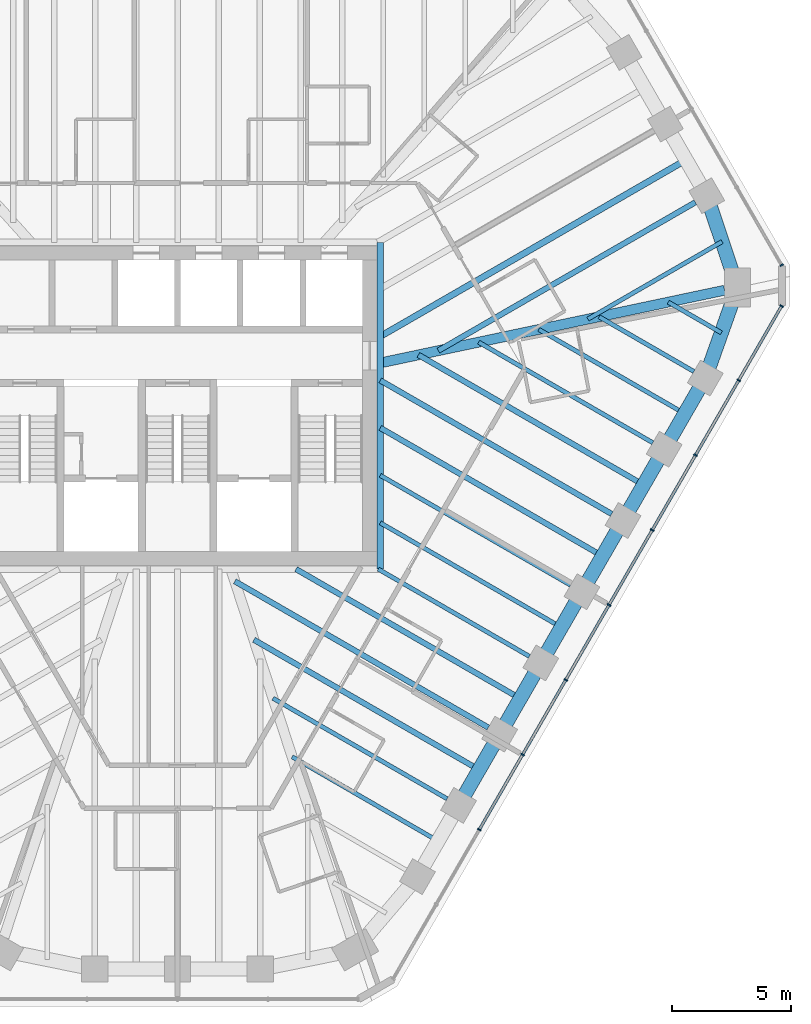
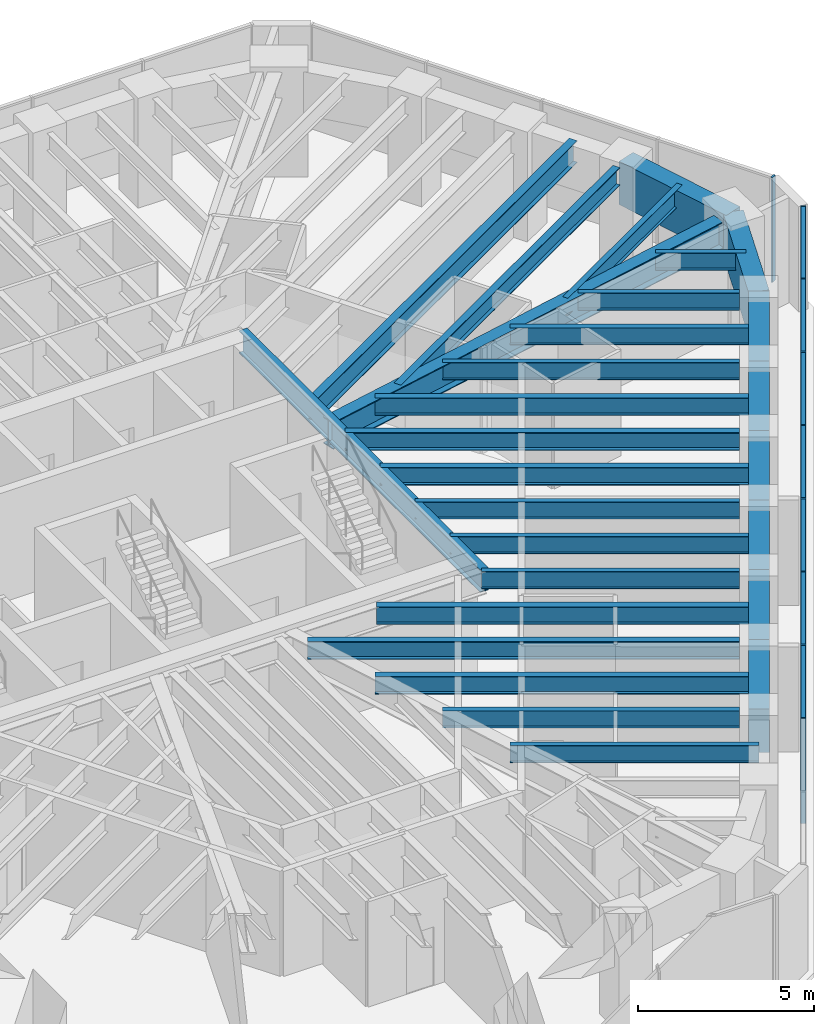
# One storey, part 5 of 14: 28 beams, 16 members, 2 elements without a shape of their own.
"""IFC4 building model written with IfcOpenShell, lengths in metres."""

from ifc_helpers import new_model, si_unit, direction, frame, origin, origin_2d, place, context, subcontext, project, spatial, rectangle, i_section, extrude, material, material_profile, profile_set, type_object, element, aggregate, save


model = new_model("IFC4")

# Units and contexts
model_context = context("Model", 3, precision=1e-05, world=origin(), true_north=direction((0.0, 1.0)))
body_context = subcontext(model_context, "Body", "Model", "MODEL_VIEW")
ifc_project = project(units=[si_unit("LENGTHUNIT", "METRE"), si_unit("AREAUNIT", "SQUARE_METRE"), si_unit("VOLUMEUNIT", "CUBIC_METRE"), si_unit("PLANEANGLEUNIT", "RADIAN"), si_unit("MASSUNIT", "GRAM", prefix="KILO")], contexts=[model_context])

# Site, building, storey
site_placement = place(None, origin())
site = spatial("IfcSite", under=ifc_project, at=site_placement, CompositionType="ELEMENT")
building_placement = place(site_placement, origin())
building = spatial("IfcBuilding", under=site, at=building_placement, Name="Sandreach Pilgrim Tower", CompositionType="ELEMENT")
storey_placement = place(building_placement, frame((0.0, 0.0, 283.60009765625)))
storey = spatial("IfcBuildingStorey", under=building, at=storey_placement, Name="L71", CompositionType="ELEMENT", Elevation=283.60009765625)

# Curtain wall, member
ifc_material_1 = material(Name="Aluminium framed curtain wall", Category="aluminium")
curtain_wall_type = type_object("IfcCurtainWallType", Name="Suite tower curtain wall", PredefinedType="NOTDEFINED", material=ifc_material_1)
curtain_wall_1_placement = place(storey_placement, origin())
curtain_wall_1 = element("IfcCurtainWall", 1, at=curtain_wall_1_placement, inside=storey, type_object=curtain_wall_type, Name="CW-4 L71 NE", PredefinedType="NOTDEFINED")
ifc_material_2 = material(Name="Aluminium extrusion", Category="aluminium")
ifc_material_profile_1 = material_profile(ifc_material_2, rectangle(XDim=0.06005859375, YDim=0.159912109375, at=origin_2d()), Name="CW-4M 60X160")
ifc_profile_set_1 = profile_set([ifc_material_profile_1], Name="Aluminium extrusion")
member_type_1 = type_object("IfcMemberType", Name="CW-4 mullion", PredefinedType="MULLION", material=ifc_profile_set_1)
member_1_placement = place(storey_placement, frame((25.304443359375, 5.8876953125, 0.0), z_axis=(0.0, 0.0, 1.0), x_axis=(0.5, -0.866025403784, 0.0)))
member_1 = element("IfcMember", 2, at=member_1_placement, type_object=member_type_1, Name="CW-4 mullion 5", PredefinedType="MULLION", context=body_context, shape_type="SweptSolid", body=[
    extrude(rectangle(XDim=0.06005859375, YDim=0.159912109375, at=origin_2d()), origin(), (0.0, 0.0, 1.0), 3.639892578125),
])
aggregate(curtain_wall_1, [member_1])

# Curtain wall, members
curtain_wall_2_placement = place(storey_placement, origin())
curtain_wall_2 = element("IfcCurtainWall", 3, at=curtain_wall_2_placement, inside=storey, type_object=curtain_wall_type, Name="CW-4 L71 SE", PredefinedType="NOTDEFINED")
member_2_placement = place(storey_placement, frame((25.304443359375, 4.175537109375, 0.0), z_axis=(0.0, 0.0, 1.0), x_axis=(-0.5, -0.866025403784, 0.0)))
member_2 = element("IfcMember", 4, at=member_2_placement, type_object=member_type_1, Name="CW-4 mullion 1", PredefinedType="MULLION", context=body_context, shape_type="SweptSolid", body=[
    extrude(rectangle(XDim=0.06005859375, YDim=0.159912109375, at=origin_2d()), origin(), (0.0, 0.0, 1.0), 3.639892578125),
])
member_3_placement = place(storey_placement, frame((23.508544921875, 1.06494140625, 0.0), z_axis=(0.0, 0.0, 1.0), x_axis=(-0.5, -0.866025403784, 0.0)))
member_3 = element("IfcMember", 5, at=member_3_placement, type_object=member_type_1, Name="CW-4 mullion 2", PredefinedType="MULLION", context=body_context, shape_type="SweptSolid", body=[
    extrude(rectangle(XDim=0.06005859375, YDim=0.159912109375, at=origin_2d()), origin(), (0.0, 0.0, 1.0), 3.639892578125),
])
member_4_placement = place(storey_placement, frame((21.697509765625, -2.071533203125, 0.0), z_axis=(0.0, 0.0, 1.0), x_axis=(-0.5, -0.866025403784, 0.0)))
member_4 = element("IfcMember", 6, at=member_4_placement, type_object=member_type_1, Name="CW-4 mullion 3", PredefinedType="MULLION", context=body_context, shape_type="SweptSolid", body=[
    extrude(rectangle(XDim=0.06005859375, YDim=0.159912109375, at=origin_2d()), origin(), (0.0, 0.0, 1.0), 3.639892578125),
])
member_5_placement = place(storey_placement, frame((19.886474609375, -5.208251953125, 0.0), z_axis=(0.0, 0.0, 1.0), x_axis=(-0.5, -0.866025403784, 0.0)))
member_5 = element("IfcMember", 7, at=member_5_placement, type_object=member_type_1, Name="CW-4 mullion 4", PredefinedType="MULLION", context=body_context, shape_type="SweptSolid", body=[
    extrude(rectangle(XDim=0.06005859375, YDim=0.159912109375, at=origin_2d()), origin(), (0.0, 0.0, 1.0), 3.639892578125),
])
member_6_placement = place(storey_placement, frame((18.07568359375, -8.344970703125, 0.0), z_axis=(0.0, 0.0, 1.0), x_axis=(-0.5, -0.866025403784, 0.0)))
member_6 = element("IfcMember", 8, at=member_6_placement, type_object=member_type_1, Name="CW-4 mullion 5", PredefinedType="MULLION", context=body_context, shape_type="SweptSolid", body=[
    extrude(rectangle(XDim=0.06005859375, YDim=0.159912109375, at=origin_2d()), origin(), (0.0, 0.0, 1.0), 3.639892578125),
])
member_7_placement = place(storey_placement, frame((16.2646484375, -11.4814453125, 0.0), z_axis=(0.0, 0.0, 1.0), x_axis=(-0.5, -0.866025403784, 0.0)))
member_7 = element("IfcMember", 9, at=member_7_placement, type_object=member_type_1, Name="CW-4 mullion 6", PredefinedType="MULLION", context=body_context, shape_type="SweptSolid", body=[
    extrude(rectangle(XDim=0.06005859375, YDim=0.159912109375, at=origin_2d()), origin(), (0.0, 0.0, 1.0), 3.639892578125),
])
member_8_placement = place(storey_placement, frame((14.453857421875, -14.6181640625, 0.0), z_axis=(0.0, 0.0, 1.0), x_axis=(-0.5, -0.866025403784, 0.0)))
member_8 = element("IfcMember", 10, at=member_8_placement, type_object=member_type_1, Name="CW-4 mullion 7", PredefinedType="MULLION", context=body_context, shape_type="SweptSolid", body=[
    extrude(rectangle(XDim=0.06005859375, YDim=0.159912109375, at=origin_2d()), origin(), (0.0, 0.0, 1.0), 3.639892578125),
])
member_9_placement = place(storey_placement, frame((12.642822265625, -17.7548828125, 0.0), z_axis=(0.0, 0.0, 1.0), x_axis=(-0.5, -0.866025403784, 0.0)))
member_9 = element("IfcMember", 11, at=member_9_placement, type_object=member_type_1, Name="CW-4 mullion 8", PredefinedType="MULLION", context=body_context, shape_type="SweptSolid", body=[
    extrude(rectangle(XDim=0.06005859375, YDim=0.159912109375, at=origin_2d()), origin(), (0.0, 0.0, 1.0), 3.639892578125),
])
ifc_material_3 = material(Name="Aluminium extrusion", Category="aluminium")
ifc_material_profile_2 = material_profile(ifc_material_3, rectangle(XDim=0.1201171875, YDim=0.070068359375, at=origin_2d()), Name="CW-4T 120X70")
ifc_profile_set_2 = profile_set([ifc_material_profile_2], Name="Aluminium extrusion")
member_type_2 = type_object("IfcMemberType", Name="CW-4 transom", PredefinedType="USERDEFINED", material=ifc_profile_set_2)
member_10_placement = place(storey_placement, frame((25.289306640625, 4.149658203125, 3.60498046875), z_axis=(-0.499997709859, -0.866026725994, 0.0), x_axis=(0.866026725994, -0.499997709859, 0.0)))
member_10 = element("IfcMember", 12, at=member_10_placement, type_object=member_type_2, Name="CW-4 head transom 1", ObjectType="TRANSOM", PredefinedType="USERDEFINED", context=body_context, shape_type="SweptSolid", body=[
    extrude(rectangle(XDim=0.1201171875, YDim=0.070068359375, at=origin_2d()), origin(), (0.0, 0.0, 1.0), 3.53173828125),
])
member_11_placement = place(storey_placement, frame((23.493408203125, 1.0390625, 3.60498046875), z_axis=(-0.500009219579, -0.866020080793, 0.0), x_axis=(0.866020080793, -0.500009219579, 0.0)))
member_11 = element("IfcMember", 13, at=member_11_placement, type_object=member_type_2, Name="CW-4 head transom 2", ObjectType="TRANSOM", PredefinedType="USERDEFINED", context=body_context, shape_type="SweptSolid", body=[
    extrude(rectangle(XDim=0.1201171875, YDim=0.070068359375, at=origin_2d()), origin(), (0.0, 0.0, 1.0), 3.56201171875),
])
member_12_placement = place(storey_placement, frame((21.6826171875, -2.09765625, 3.60498046875), z_axis=(-0.500009219579, -0.866020080793, 0.0), x_axis=(0.866020080793, -0.500009219579, 0.0)))
member_12 = element("IfcMember", 14, at=member_12_placement, type_object=member_type_2, Name="CW-4 head transom 3", ObjectType="TRANSOM", PredefinedType="USERDEFINED", context=body_context, shape_type="SweptSolid", body=[
    extrude(rectangle(XDim=0.1201171875, YDim=0.070068359375, at=origin_2d()), origin(), (0.0, 0.0, 1.0), 3.56201171875),
])
member_13_placement = place(storey_placement, frame((19.87158203125, -5.234375, 3.60498046875), z_axis=(-0.500038900691, -0.866002943295, 0.0), x_axis=(0.866002943295, -0.500038900691, 0.0)))
member_13 = element("IfcMember", 15, at=member_13_placement, type_object=member_type_2, Name="CW-4 head transom 4", ObjectType="TRANSOM", PredefinedType="USERDEFINED", context=body_context, shape_type="SweptSolid", body=[
    extrude(rectangle(XDim=0.1201171875, YDim=0.070068359375, at=origin_2d()), origin(), (0.0, 0.0, 1.0), 3.561767578125),
])
member_14_placement = place(storey_placement, frame((18.060546875, -8.370849609375, 3.60498046875), z_axis=(-0.499957811549, -0.866049759928, 0.0), x_axis=(0.866049759928, -0.499957811549, 0.0)))
member_14 = element("IfcMember", 16, at=member_14_placement, type_object=member_type_2, Name="CW-4 head transom 5", ObjectType="TRANSOM", PredefinedType="USERDEFINED", context=body_context, shape_type="SweptSolid", body=[
    extrude(rectangle(XDim=0.1201171875, YDim=0.070068359375, at=origin_2d()), origin(), (0.0, 0.0, 1.0), 3.561767578125),
])
member_15_placement = place(storey_placement, frame((16.249755859375, -11.507568359375, 3.60498046875), z_axis=(-0.500009219579, -0.866020080793, 0.0), x_axis=(0.866020080793, -0.500009219579, 0.0)))
member_15 = element("IfcMember", 17, at=member_15_placement, type_object=member_type_2, Name="CW-4 head transom 6", ObjectType="TRANSOM", PredefinedType="USERDEFINED", context=body_context, shape_type="SweptSolid", body=[
    extrude(rectangle(XDim=0.1201171875, YDim=0.070068359375, at=origin_2d()), origin(), (0.0, 0.0, 1.0), 3.56201171875),
])
member_16_placement = place(storey_placement, frame((14.438720703125, -14.64404296875, 3.60498046875), z_axis=(-0.499957811549, -0.866049759928, 0.0), x_axis=(0.866049759928, -0.499957811549, 0.0)))
member_16 = element("IfcMember", 18, at=member_16_placement, type_object=member_type_2, Name="CW-4 head transom 7", ObjectType="TRANSOM", PredefinedType="USERDEFINED", context=body_context, shape_type="SweptSolid", body=[
    extrude(rectangle(XDim=0.1201171875, YDim=0.070068359375, at=origin_2d()), origin(), (0.0, 0.0, 1.0), 3.561767578125),
])
aggregate(curtain_wall_2, [member_2, member_3, member_4, member_5, member_6, member_7, member_8, member_9, member_10, member_11, member_12, member_13, member_14, member_15, member_16])

# Beams
ifc_material_4 = material(Name="Steel ASTM A992 Grade 50", Category="steel")
ifc_material_profile_3 = material_profile(ifc_material_4, i_section(OverallWidth=0.2666015625, OverallDepth=0.77978515625, WebThickness=0.0166015625, FlangeThickness=0.030029296875, at=origin_2d()), Name="W30X148")
ifc_profile_set_3 = profile_set([ifc_material_profile_3], Name="Steel ASTM A992 Grade 50")
beam_type_1 = type_object("IfcBeamType", Name="Core edge beam W30X148", PredefinedType="BEAM", material=ifc_profile_set_3)
beam_1_placement = place(storey_placement, frame((8.493408203125, 6.84326171875, 3.25), z_axis=(0.0, -1.0, 0.0), x_axis=(1.0, 0.0, 0.0)))
element("IfcBeam", 19, at=beam_1_placement, inside=storey, type_object=beam_type_1, Name="BM L71 CEE", PredefinedType="BEAM", context=body_context, shape_type="SweptSolid", body=[
    extrude(i_section(OverallWidth=0.2666015625, OverallDepth=0.77978515625, WebThickness=0.0166015625, FlangeThickness=0.030029296875, at=origin_2d()), origin(), (0.0, 0.0, 1.0), 13.6865234375),
])
ifc_material_5 = material(Name="Steel ASTM A992 Grade 50", Category="steel")
ifc_material_profile_4 = material_profile(ifc_material_5, i_section(OverallWidth=0.419189453125, OverallDepth=0.927001953125, WebThickness=0.019287109375, FlangeThickness=0.031982421875, at=origin_2d()), Name="W36X231")
ifc_profile_set_4 = profile_set([ifc_material_profile_4], Name="Steel ASTM A992 Grade 50")
beam_type_2 = type_object("IfcBeamType", Name="Corner girder W36X231", PredefinedType="BEAM", material=ifc_profile_set_4)
beam_2_placement = place(storey_placement, frame((22.917724609375, 4.838623046875, 3.17626953125), z_axis=(-0.978430270369, -0.206577360876, 0.0), x_axis=(0.206577360876, -0.978430270369, 0.0)))
element("IfcBeam", 20, at=beam_2_placement, inside=storey, type_object=beam_type_2, Name="BM L71 CG13", PredefinedType="BEAM", context=body_context, shape_type="SweptSolid", body=[
    extrude(i_section(OverallWidth=0.419189453125, OverallDepth=0.927001953125, WebThickness=0.019287109375, FlangeThickness=0.031982421875, at=origin_2d()), origin(), (0.0, 0.0, 1.0), 14.888671875),
])
ifc_material_6 = material(Name="Steel ASTM A992 Grade 50", Category="steel")
ifc_material_profile_5 = material_profile(ifc_material_6, i_section(OverallWidth=0.1787109375, OverallDepth=0.60205078125, WebThickness=0.010986328125, FlangeThickness=0.014892578125, at=origin_2d()), Name="W24X62")
ifc_profile_set_5 = profile_set([ifc_material_profile_5], Name="Steel ASTM A992 Grade 50")
beam_type_3 = type_object("IfcBeamType", Name="Floor beam W24X62", PredefinedType="BEAM", material=ifc_profile_set_5)
beam_3_placement = place(storey_placement, frame((21.631591796875, 1.433837890625, 3.3388671875), z_axis=(-0.866037621819, 0.499978837146, 0.0), x_axis=(-0.499978837146, -0.866037621819, 0.0)))
element("IfcBeam", 21, at=beam_3_placement, inside=storey, type_object=beam_type_3, Name="BM L71 F14", PredefinedType="BEAM", context=body_context, shape_type="SweptSolid", body=[
    extrude(i_section(OverallWidth=0.1787109375, OverallDepth=0.60205078125, WebThickness=0.010986328125, FlangeThickness=0.014892578125, at=origin_2d()), origin(), (0.0, 0.0, 1.0), 4.588623046875),
])
beam_4_placement = place(storey_placement, frame((19.908935546875, -1.549560546875, 3.3388671875), z_axis=(-0.866026819143, 0.499997548519, 0.0), x_axis=(-0.499997548519, -0.866026819143, 0.0)))
element("IfcBeam", 22, at=beam_4_placement, inside=storey, type_object=beam_type_3, Name="BM L71 F15", PredefinedType="BEAM", context=body_context, shape_type="SweptSolid", body=[
    extrude(i_section(OverallWidth=0.1787109375, OverallDepth=0.60205078125, WebThickness=0.010986328125, FlangeThickness=0.014892578125, at=origin_2d()), origin(), (0.0, 0.0, 1.0), 8.4248046875),
])
beam_5_placement = place(storey_placement, frame((16.4638671875, -7.516357421875, 3.3388671875), z_axis=(-0.866022580836, 0.500004889459, 0.0), x_axis=(-0.500004889459, -0.866022580836, 0.0)))
element("IfcBeam", 23, at=beam_5_placement, inside=storey, type_object=beam_type_3, Name="BM L71 F17", PredefinedType="BEAM", context=body_context, shape_type="SweptSolid", body=[
    extrude(i_section(OverallWidth=0.1787109375, OverallDepth=0.60205078125, WebThickness=0.010986328125, FlangeThickness=0.014892578125, at=origin_2d()), origin(), (0.0, 0.0, 1.0), 9.20361328125),
])
beam_6_placement = place(storey_placement, frame((14.741455078125, -10.5, 3.3388671875), z_axis=(-0.866019920622, 0.500009496996, 0.0), x_axis=(-0.500009496996, -0.866019920622, 0.0)))
element("IfcBeam", 24, at=beam_6_placement, inside=storey, type_object=beam_type_3, Name="BM L71 F18", PredefinedType="BEAM", context=body_context, shape_type="SweptSolid", body=[
    extrude(i_section(OverallWidth=0.1787109375, OverallDepth=0.60205078125, WebThickness=0.010986328125, FlangeThickness=0.014892578125, at=origin_2d()), origin(), (0.0, 0.0, 1.0), 7.313232421875),
])
beam_7_placement = place(storey_placement, frame((11.29638671875, -16.466796875, 3.3388671875), z_axis=(-0.866026819143, 0.499997548519, 0.0), x_axis=(-0.499997548519, -0.866026819143, 0.0)))
element("IfcBeam", 25, at=beam_7_placement, inside=storey, type_object=beam_type_3, Name="BM L71 F20", PredefinedType="BEAM", context=body_context, shape_type="SweptSolid", body=[
    extrude(i_section(OverallWidth=0.1787109375, OverallDepth=0.60205078125, WebThickness=0.010986328125, FlangeThickness=0.014892578125, at=origin_2d()), origin(), (0.0, 0.0, 1.0), 8.4248046875),
])
beam_8_placement = place(storey_placement, frame((22.8125, 6.875, 3.3388671875), z_axis=(-0.866023980233, -0.500002465655, 0.0), x_axis=(0.500002465655, -0.866023980233, 0.0)))
element("IfcBeam", 26, at=beam_8_placement, inside=storey, type_object=beam_type_3, Name="BM L71 FM12", PredefinedType="BEAM", context=body_context, shape_type="SweptSolid", body=[
    extrude(i_section(OverallWidth=0.1787109375, OverallDepth=0.60205078125, WebThickness=0.010986328125, FlangeThickness=0.014892578125, at=origin_2d()), origin(), (0.0, 0.0, 1.0), 6.49072265625),
])
beam_9_placement = place(storey_placement, frame((22.78173828125, 3.0556640625, 3.3388671875), z_axis=(-0.8660004255, 0.500043261163, 0.0), x_axis=(-0.500043261163, -0.8660004255, 0.0)))
element("IfcBeam", 27, at=beam_9_placement, inside=storey, type_object=beam_type_3, Name="BM L71 FM13", PredefinedType="BEAM", context=body_context, shape_type="SweptSolid", body=[
    extrude(i_section(OverallWidth=0.1787109375, OverallDepth=0.60205078125, WebThickness=0.010986328125, FlangeThickness=0.014892578125, at=origin_2d()), origin(), (0.0, 0.0, 1.0), 2.569091796875),
])
beam_10_placement = place(storey_placement, frame((21.24658203125, -0.332763671875, 3.3388671875), z_axis=(-0.866028878405, 0.499993981732, 0.0), x_axis=(-0.499993981732, -0.866028878405, 0.0)))
element("IfcBeam", 28, at=beam_10_placement, inside=storey, type_object=beam_type_3, Name="BM L71 FM14", PredefinedType="BEAM", context=body_context, shape_type="SweptSolid", body=[
    extrude(i_section(OverallWidth=0.1787109375, OverallDepth=0.60205078125, WebThickness=0.010986328125, FlangeThickness=0.014892578125, at=origin_2d()), origin(), (0.0, 0.0, 1.0), 7.056640625),
])
beam_11_placement = place(storey_placement, frame((16.0791015625, -9.283203125, 3.3388671875), z_axis=(-0.866023595995, 0.500003131169, 0.0), x_axis=(-0.500003131169, -0.866023595995, 0.0)))
element("IfcBeam", 29, at=beam_11_placement, inside=storey, type_object=beam_type_3, Name="BM L71 FM17", PredefinedType="BEAM", context=body_context, shape_type="SweptSolid", body=[
    extrude(i_section(OverallWidth=0.1787109375, OverallDepth=0.60205078125, WebThickness=0.010986328125, FlangeThickness=0.014892578125, at=origin_2d()), origin(), (0.0, 0.0, 1.0), 8.75927734375),
])
beam_12_placement = place(storey_placement, frame((10.911376953125, -18.233642578125, 3.3388671875), z_axis=(-0.866020229007, 0.50000896287, 0.0), x_axis=(-0.50000896287, -0.866020229007, 0.0)))
element("IfcBeam", 30, at=beam_12_placement, inside=storey, type_object=beam_type_3, Name="BM L71 FM20", PredefinedType="BEAM", context=body_context, shape_type="SweptSolid", body=[
    extrude(i_section(OverallWidth=0.1787109375, OverallDepth=0.60205078125, WebThickness=0.010986328125, FlangeThickness=0.014892578125, at=origin_2d()), origin(), (0.0, 0.0, 1.0), 7.056396484375),
])
ifc_material_7 = material(Name="Steel ASTM A992 Grade 50", Category="steel")
ifc_material_profile_6 = material_profile(ifc_material_7, i_section(OverallWidth=0.23046875, OverallDepth=0.6171875, WebThickness=0.01318359375, FlangeThickness=0.022216796875, at=origin_2d()), Name="W24X94")
ifc_profile_set_6 = profile_set([ifc_material_profile_6], Name="Steel ASTM A992 Grade 50")
beam_type_4 = type_object("IfcBeamType", Name="Floor beam W24X94", PredefinedType="BEAM", material=ifc_profile_set_6)
beam_13_placement = place(storey_placement, frame((21.69287109375, 8.522705078125, 3.331298828125), z_axis=(-0.866028931402, -0.499993889937, 0.0), x_axis=(0.499993889937, -0.866028931402, 0.0)))
element("IfcBeam", 31, at=beam_13_placement, inside=storey, type_object=beam_type_4, Name="BM L71 F12", PredefinedType="BEAM", context=body_context, shape_type="SweptSolid", body=[
    extrude(i_section(OverallWidth=0.23046875, OverallDepth=0.6171875, WebThickness=0.01318359375, FlangeThickness=0.022216796875, at=origin_2d()), origin(), (0.0, 0.0, 1.0), 12.431396484375),
])
beam_14_placement = place(storey_placement, frame((18.1865234375, -4.532958984375, 3.331298828125), z_axis=(-0.866030482771, 0.499991202833, 0.0), x_axis=(-0.499991202833, -0.866030482771, 0.0)))
element("IfcBeam", 32, at=beam_14_placement, inside=storey, type_object=beam_type_4, Name="BM L71 F16", PredefinedType="BEAM", context=body_context, shape_type="SweptSolid", body=[
    extrude(i_section(OverallWidth=0.23046875, OverallDepth=0.6171875, WebThickness=0.01318359375, FlangeThickness=0.022216796875, at=origin_2d()), origin(), (0.0, 0.0, 1.0), 11.192626953125),
])
beam_15_placement = place(storey_placement, frame((13.018798828125, -13.4833984375, 3.331298828125), z_axis=(-0.866019132277, 0.500010862412, 0.0), x_axis=(-0.500010862412, -0.866019132277, 0.0)))
element("IfcBeam", 33, at=beam_15_placement, inside=storey, type_object=beam_type_4, Name="BM L71 F19", PredefinedType="BEAM", context=body_context, shape_type="SweptSolid", body=[
    extrude(i_section(OverallWidth=0.23046875, OverallDepth=0.6171875, WebThickness=0.01318359375, FlangeThickness=0.022216796875, at=origin_2d()), origin(), (0.0, 0.0, 1.0), 12.261474609375),
])
beam_16_placement = place(storey_placement, frame((19.52392578125, -3.316162109375, 3.331298828125), z_axis=(-0.866029205616, 0.499993414976, 0.0), x_axis=(-0.499993414976, -0.866029205616, 0.0)))
element("IfcBeam", 34, at=beam_16_placement, inside=storey, type_object=beam_type_4, Name="BM L71 FM15", PredefinedType="BEAM", context=body_context, shape_type="SweptSolid", body=[
    extrude(i_section(OverallWidth=0.23046875, OverallDepth=0.6171875, WebThickness=0.01318359375, FlangeThickness=0.022216796875, at=origin_2d()), origin(), (0.0, 0.0, 1.0), 10.893310546875),
])
beam_17_placement = place(storey_placement, frame((17.801513671875, -6.2998046875, 3.331298828125), z_axis=(-0.866025958161, 0.49999903979, 0.0), x_axis=(-0.49999903979, -0.866025958161, 0.0)))
element("IfcBeam", 35, at=beam_17_placement, inside=storey, type_object=beam_type_4, Name="BM L71 FM16", PredefinedType="BEAM", context=body_context, shape_type="SweptSolid", body=[
    extrude(i_section(OverallWidth=0.23046875, OverallDepth=0.6171875, WebThickness=0.01318359375, FlangeThickness=0.022216796875, at=origin_2d()), origin(), (0.0, 0.0, 1.0), 10.748046875),
])
beam_18_placement = place(storey_placement, frame((14.3564453125, -12.2666015625, 3.331298828125), z_axis=(-0.866026660645, 0.499997823047, 0.0), x_axis=(-0.499997823047, -0.866026660645, 0.0)))
element("IfcBeam", 36, at=beam_18_placement, inside=storey, type_object=beam_type_4, Name="BM L71 FM18", PredefinedType="BEAM", context=body_context, shape_type="SweptSolid", body=[
    extrude(i_section(OverallWidth=0.23046875, OverallDepth=0.6171875, WebThickness=0.01318359375, FlangeThickness=0.022216796875, at=origin_2d()), origin(), (0.0, 0.0, 1.0), 10.8466796875),
])
beam_19_placement = place(storey_placement, frame((12.634033203125, -15.250244140625, 3.331298828125), z_axis=(-0.866019500887, 0.500010223979, 0.0), x_axis=(-0.500010223979, -0.866019500887, 0.0)))
element("IfcBeam", 37, at=beam_19_placement, inside=storey, type_object=beam_type_4, Name="BM L71 FM19", PredefinedType="BEAM", context=body_context, shape_type="SweptSolid", body=[
    extrude(i_section(OverallWidth=0.23046875, OverallDepth=0.6171875, WebThickness=0.01318359375, FlangeThickness=0.022216796875, at=origin_2d()), origin(), (0.0, 0.0, 1.0), 10.893310546875),
])
ifc_material_8 = material(Name="Steel ASTM A992 Grade 50", Category="steel")
ifc_material_profile_7 = material_profile(ifc_material_8, i_section(OverallWidth=0.2666015625, OverallDepth=0.761962890625, WebThickness=0.014404296875, FlangeThickness=0.021484375, at=origin_2d()), Name="W30X116")
ifc_profile_set_7 = profile_set([ifc_material_profile_7], Name="Steel ASTM A992 Grade 50")
beam_type_5 = type_object("IfcBeamType", Name="Floor beam W30X116", PredefinedType="BEAM", material=ifc_profile_set_7)
beam_20_placement = place(storey_placement, frame((21.302978515625, 10.29833984375, 3.2587890625), z_axis=(-0.866028362181, -0.499994875871, 0.0), x_axis=(0.499994875871, -0.866028362181, 0.0)))
element("IfcBeam", 38, at=beam_20_placement, inside=storey, type_object=beam_type_5, Name="BM L71 FM11", PredefinedType="BEAM", context=body_context, shape_type="SweptSolid", body=[
    extrude(i_section(OverallWidth=0.2666015625, OverallDepth=0.761962890625, WebThickness=0.014404296875, FlangeThickness=0.021484375, at=origin_2d()), origin(), (0.0, 0.0, 1.0), 14.791259765625),
])
ifc_material_9 = material(Name="Concrete 10000 psi", Category="concrete")
ifc_material_profile_8 = material_profile(ifc_material_9, rectangle(XDim=0.60009765625, YDim=1.5, at=origin_2d()), Name="RC600X1500")
ifc_profile_set_8 = profile_set([ifc_material_profile_8], Name="Concrete 10000 psi")
beam_type_6 = type_object("IfcBeamType", Name="Spandrel beam RC600X1500", PredefinedType="SPANDREL", material=ifc_profile_set_8)
beam_21_placement = place(storey_placement, frame((22.169189453125, 8.7978515625, 2.889892578125), z_axis=(0.317293238289, -0.948327475578, 0.0), x_axis=(0.948327475578, 0.317293238289, 0.0)))
element("IfcBeam", 39, at=beam_21_placement, inside=storey, type_object=beam_type_6, Name="BM L71 SP12", PredefinedType="SPANDREL", context=body_context, shape_type="SweptSolid", body=[
    extrude(rectangle(XDim=0.60009765625, YDim=1.5, at=origin_2d()), origin(), (0.0, 0.0, 1.0), 4.054931640625),
])
beam_22_placement = place(storey_placement, frame((23.455810546875, 4.952392578125, 2.889892578125), z_axis=(-0.33481464839, -0.94228400773, 0.0), x_axis=(0.94228400773, -0.33481464839, 0.0)))
element("IfcBeam", 40, at=beam_22_placement, inside=storey, type_object=beam_type_6, Name="BM L71 SP13", PredefinedType="SPANDREL", context=body_context, shape_type="SweptSolid", body=[
    extrude(rectangle(XDim=0.60009765625, YDim=1.5, at=origin_2d()), origin(), (0.0, 0.0, 1.0), 4.02587890625),
])
for number, where, z_axis, x_axis, name in (
    (41, (22.10791015625, 1.158935546875, 2.889892578125), (-0.500041441558, -0.866001476168, 0.0), (0.866001476168, -0.500041441558, 0.0), "BM L71 SP14"),
    (42, (20.38525390625, -1.824462890625, 2.889892578125), (-0.499957605418, -0.866049878924, 0.0), (0.866049878924, -0.499957605418, 0.0), "BM L71 SP15"),
    (43, (18.662841796875, -4.80810546875, 2.889892578125), (-0.500041441558, -0.866001476168, 0.0), (0.866001476168, -0.500041441558, 0.0), "BM L71 SP16"),
):
    element("IfcBeam", number, at=place(storey_placement, frame(where, z_axis=z_axis, x_axis=x_axis)), inside=storey, type_object=beam_type_6, Name=name, PredefinedType="SPANDREL", context=body_context, shape_type="SweptSolid", body=[
        extrude(rectangle(XDim=0.60009765625, YDim=1.5, at=origin_2d()), origin(), (0.0, 0.0, 1.0), 3.445068359375),
    ])
beam_23_placement = place(storey_placement, frame((16.940185546875, -7.79150390625, 2.889892578125), z_axis=(-0.499988291006, -0.866032163869, 0.0), x_axis=(0.866032163869, -0.499988291006, 0.0)))
element("IfcBeam", 44, at=beam_23_placement, inside=storey, type_object=beam_type_6, Name="BM L71 SP17", PredefinedType="SPANDREL", context=body_context, shape_type="SweptSolid", body=[
    extrude(rectangle(XDim=0.60009765625, YDim=1.5, at=origin_2d()), origin(), (0.0, 0.0, 1.0), 3.44482421875),
])
beam_24_placement = place(storey_placement, frame((15.2177734375, -10.77490234375, 2.889892578125), z_axis=(-0.500010754882, -0.866019194361, 0.0), x_axis=(0.866019194361, -0.500010754882, 0.0)))
element("IfcBeam", 45, at=beam_24_placement, inside=storey, type_object=beam_type_6, Name="BM L71 SP18", PredefinedType="SPANDREL", context=body_context, shape_type="SweptSolid", body=[
    extrude(rectangle(XDim=0.60009765625, YDim=1.5, at=origin_2d()), origin(), (0.0, 0.0, 1.0), 3.4453125),
])
beam_25_placement = place(storey_placement, frame((13.4951171875, -13.758544921875, 2.889892578125), z_axis=(-0.499988291006, -0.866032163869, 0.0), x_axis=(0.866032163869, -0.499988291006, 0.0)))
element("IfcBeam", 46, at=beam_25_placement, inside=storey, type_object=beam_type_6, Name="BM L71 SP19", PredefinedType="SPANDREL", context=body_context, shape_type="SweptSolid", body=[
    extrude(rectangle(XDim=0.60009765625, YDim=1.5, at=origin_2d()), origin(), (0.0, 0.0, 1.0), 3.44482421875),
])

save(model, "model.ifc")
